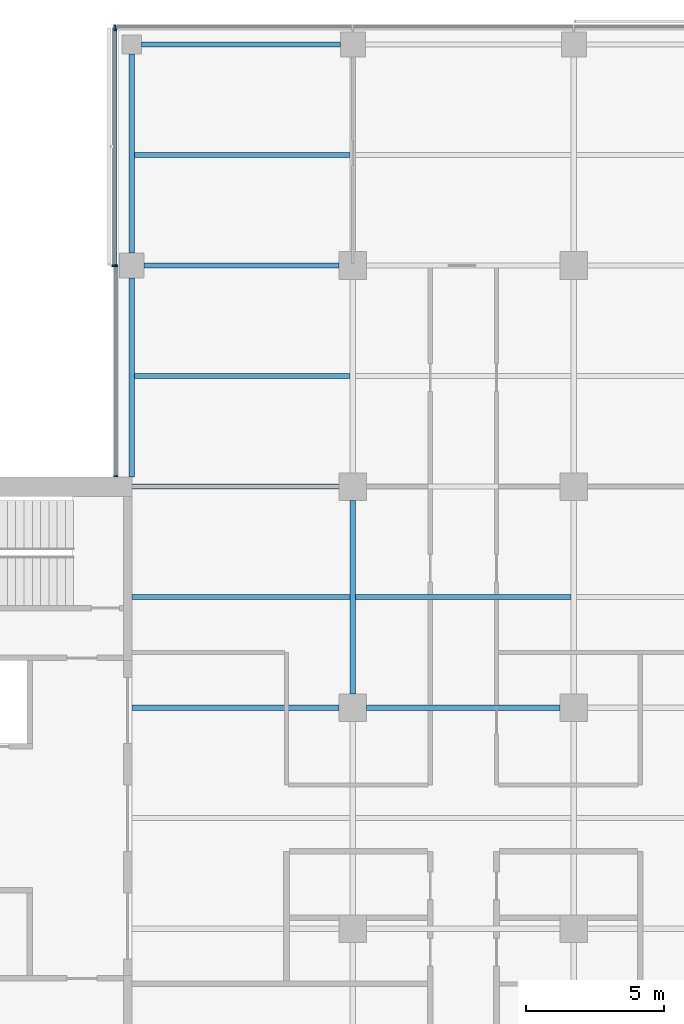
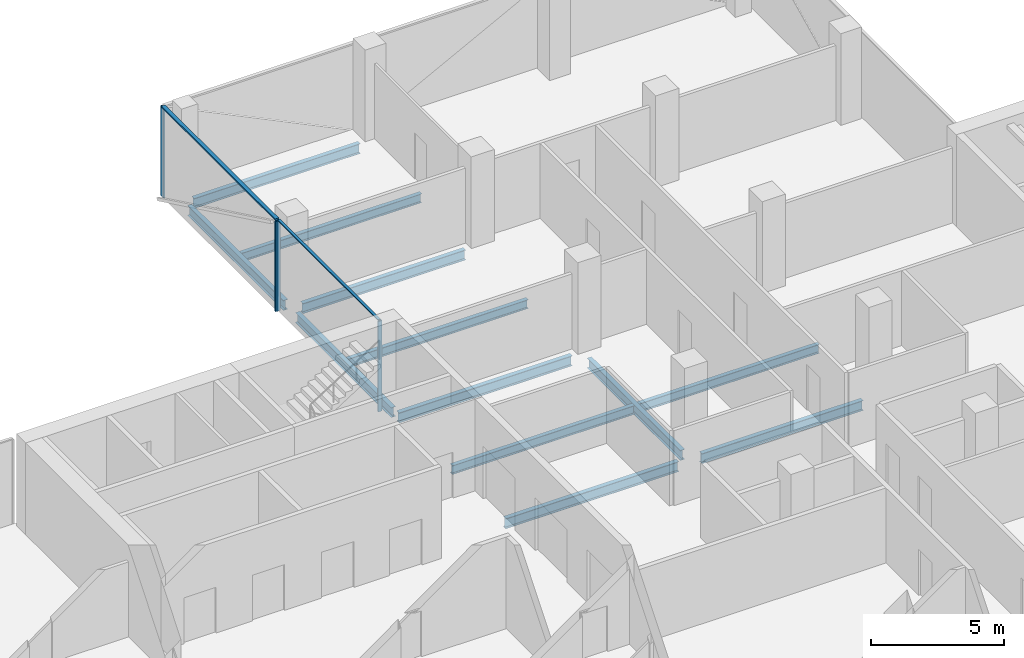
# One storey, part 8 of 22: 12 beams, 6 members, 3 elements without a shape of their own.
"""IFC4 building model written with IfcOpenShell, lengths in metres."""

from ifc_helpers import new_model, si_unit, direction, frame, origin, origin_2d, place, context, subcontext, project, spatial, rectangle, i_section, extrude, material, material_profile, profile_set, type_object, element, aggregate, save


model = new_model("IFC4")

# Units and contexts
model_context = context("Model", 3, precision=1e-05, world=origin(), true_north=direction((0.0, 1.0)))
body_context = subcontext(model_context, "Body", "Model", "MODEL_VIEW")
ifc_project = project(units=[si_unit("LENGTHUNIT", "METRE"), si_unit("AREAUNIT", "SQUARE_METRE"), si_unit("VOLUMEUNIT", "CUBIC_METRE"), si_unit("PLANEANGLEUNIT", "RADIAN"), si_unit("MASSUNIT", "GRAM", prefix="KILO")], contexts=[model_context])

# Site, building, storey
site_placement = place(None, origin())
site = spatial("IfcSite", under=ifc_project, at=site_placement, CompositionType="ELEMENT")
building_placement = place(site_placement, origin())
building = spatial("IfcBuilding", under=site, at=building_placement, Name="Crosswind Convention Tower", CompositionType="ELEMENT")
storey_placement = place(building_placement, frame((0.0, 0.0, 158.89990234375)))
storey = spatial("IfcBuildingStorey", under=building, at=storey_placement, Name="L33", CompositionType="ELEMENT", Elevation=158.89990234375)

# Beams
ifc_material_1 = material(Name="Steel S355", Category="steel")
ifc_material_profile_1 = material_profile(ifc_material_1, i_section(OverallWidth=0.18994140625, OverallDepth=0.45361328125, WebThickness=0.008544921875, FlangeThickness=0.0126953125, FilletRadius=0.01025390625, at=origin_2d()), Name="UB 457x191x67")
ifc_profile_set_1 = profile_set([ifc_material_profile_1], Name="Steel S355")
beam_type_1 = type_object("IfcBeamType", Name="Edge beam UB 457x191x67", PredefinedType="SPANDREL", material=ifc_profile_set_1)
for number, where, z_axis, x_axis, name in (
    (1, (113.0, 112.35009765625, -0.526611328125), (0.0, 1.0, 0.0), (-1.0, 0.0, 0.0), "B16 L33 edge beam 8"),
    (2, (113.0, 120.449951171875, -0.526611328125), (0.0, 1.0, 0.0), (-1.0, 0.0, 0.0), "B16 L33 edge beam 9"),
    (3, (113.35009765625, 128.0, -0.526611328125), (1.0, 0.0, 0.0), (0.0, 1.0, 0.0), "B16 L33 edge beam 11"),
):
    element("IfcBeam", number, at=place(storey_placement, frame(where, z_axis=z_axis, x_axis=x_axis)), inside=storey, type_object=beam_type_1, Name=name, PredefinedType="SPANDREL", context=body_context, shape_type="SweptSolid", body=[
        extrude(i_section(OverallWidth=0.18994140625, OverallDepth=0.45361328125, WebThickness=0.008544921875, FlangeThickness=0.0126953125, FilletRadius=0.01025390625, at=origin_2d()), origin(), (0.0, 0.0, 1.0), 7.199951171875),
    ])
ifc_material_profile_2 = material_profile(ifc_material_1, i_section(OverallWidth=0.19140625, OverallDepth=0.460205078125, WebThickness=0.010009765625, FlangeThickness=0.01611328125, FilletRadius=0.01025390625, at=origin_2d()), Name="UB 457x191x82")
ifc_profile_set_2 = profile_set([ifc_material_profile_2], Name="Steel S355")
beam_type_2 = type_object("IfcBeamType", Name="Girder UB 457x191x82", PredefinedType="BEAM", material=ifc_profile_set_2)
beam_1_placement = place(storey_placement, frame((113.449951171875, 120.0, -0.530029296875), z_axis=(1.0, 0.0, 0.0), x_axis=(0.0, 1.0, 0.0)))
element("IfcBeam", 4, at=beam_1_placement, inside=storey, type_object=beam_type_2, Name="B3 L33 girder 2", PredefinedType="BEAM", context=body_context, shape_type="SweptSolid", body=[
    extrude(i_section(OverallWidth=0.19140625, OverallDepth=0.460205078125, WebThickness=0.010009765625, FlangeThickness=0.01611328125, FilletRadius=0.01025390625, at=origin_2d()), origin(), (0.0, 0.0, 1.0), 7.050048828125),
])
for number, where, z_axis, x_axis, name in (
    (5, (121.0, 104.5, -0.530029296875), (0.0, 1.0, 0.0), (-1.0, 0.0, 0.0), "B3 L33 girder 7"),
    (6, (121.5, 104.0, -0.530029296875), (1.0, 0.0, 0.0), (0.0, 1.0, 0.0), "B3 L33 girder 13"),
):
    element("IfcBeam", number, at=place(storey_placement, frame(where, z_axis=z_axis, x_axis=x_axis)), inside=storey, type_object=beam_type_2, Name=name, PredefinedType="BEAM", context=body_context, shape_type="SweptSolid", body=[
        extrude(i_section(OverallWidth=0.19140625, OverallDepth=0.460205078125, WebThickness=0.010009765625, FlangeThickness=0.01611328125, FilletRadius=0.01025390625, at=origin_2d()), origin(), (0.0, 0.0, 1.0), 7.0),
    ])
ifc_material_profile_3 = material_profile(ifc_material_1, i_section(OverallWidth=0.19189453125, OverallDepth=0.463623046875, WebThickness=0.010498046875, FlangeThickness=0.017578125, FilletRadius=0.01025390625, at=origin_2d()), Name="UB 457x191x90")
ifc_profile_set_3 = profile_set([ifc_material_profile_3], Name="Steel S355")
beam_type_3 = type_object("IfcBeamType", Name="Girder at core wall UB 457x191x90", PredefinedType="BEAM", material=ifc_profile_set_3)
for number, where, z_axis, x_axis, name in (
    (7, (113.0, 104.0, -0.53173828125), (1.0, 0.0, 0.0), (0.0, 1.0, 0.0), "B24 L33 girder at core wall 5"),
    (8, (113.0, 112.0, -0.53173828125), (1.0, 0.0, 0.0), (0.0, 1.0, 0.0), "B24 L33 girder at core wall 6"),
):
    element("IfcBeam", number, at=place(storey_placement, frame(where, z_axis=z_axis, x_axis=x_axis)), inside=storey, type_object=beam_type_3, Name=name, PredefinedType="BEAM", context=body_context, shape_type="SweptSolid", body=[
        extrude(i_section(OverallWidth=0.19189453125, OverallDepth=0.463623046875, WebThickness=0.010498046875, FlangeThickness=0.017578125, FilletRadius=0.01025390625, at=origin_2d()), origin(), (0.0, 0.0, 1.0), 7.5),
    ])

# Curtain wall, members
ifc_material_2 = material(Name="Aluminium unitised curtain wall", Category="aluminium")
curtain_wall_type_1 = type_object("IfcCurtainWallType", Name="CORE END SLOT WALL 160", PredefinedType="USERDEFINED", material=ifc_material_2)
curtain_wall_1_placement = place(storey_placement, origin())
curtain_wall_1 = element("IfcCurtainWall", 9, at=curtain_wall_1_placement, inside=storey, type_object=curtain_wall_type_1, Name="CW6 L33 N-W.1-2 slot", ObjectType="UNITISED", PredefinedType="USERDEFINED")
ifc_material_3 = material(Name="Aluminium mullion", Category="aluminium")
ifc_material_profile_4 = material_profile(ifc_material_3, rectangle(XDim=0.159912109375, YDim=0.050048828125, at=origin_2d()), Name="AL 160X50")
ifc_profile_set_4 = profile_set([ifc_material_profile_4], Name="Aluminium mullion")
member_type_1 = type_object("IfcMemberType", Name="MULLION 50X160", PredefinedType="MULLION", material=ifc_profile_set_4)
member_1_placement = place(storey_placement, frame((112.419921875, 119.97509765625, -0.2998046875), z_axis=(0.0, 0.0, 1.0), x_axis=(-1.0, 0.0, 0.0)))
member_1 = element("IfcMember", 10, at=member_1_placement, type_object=member_type_1, Name="CW6 mullion 1", PredefinedType="MULLION", context=body_context, shape_type="SweptSolid", body=[
    extrude(rectangle(XDim=0.159912109375, YDim=0.050048828125, at=origin_2d()), origin(), (0.0, 0.0, 1.0), 4.14990234375),
])
member_2_placement = place(storey_placement, frame((112.419921875, 112.375, -0.2998046875), z_axis=(0.0, 0.0, 1.0), x_axis=(-1.0, 0.0, 0.0)))
member_2 = element("IfcMember", 11, at=member_2_placement, type_object=member_type_1, Name="CW6 mullion 2", PredefinedType="MULLION", context=body_context, shape_type="SweptSolid", body=[
    extrude(rectangle(XDim=0.159912109375, YDim=0.050048828125, at=origin_2d()), origin(), (0.0, 0.0, 1.0), 4.14990234375),
])

# Curtain wall, member
curtain_wall_type_2 = type_object("IfcCurtainWallType", Name="OFFICE UNITISED WALL 220", PredefinedType="USERDEFINED", material=ifc_material_2)
curtain_wall_2_placement = place(storey_placement, origin())
curtain_wall_2 = element("IfcCurtainWall", 12, at=curtain_wall_2_placement, inside=storey, type_object=curtain_wall_type_2, Name="CW3 L33 N-TIP 1", ObjectType="UNITISED", PredefinedType="USERDEFINED")
ifc_material_profile_5 = material_profile(ifc_material_3, rectangle(XDim=0.219970703125, YDim=0.070068359375, at=origin_2d()), Name="AL 220X70")
ifc_profile_set_5 = profile_set([ifc_material_profile_5], Name="Aluminium mullion")
member_type_2 = type_object("IfcMemberType", Name="MULLION 70X220", PredefinedType="MULLION", material=ifc_profile_set_5)
member_3_placement = place(storey_placement, frame((112.389892578125, 128.610107421875, -0.2998046875), z_axis=(0.0, 0.0, 1.0), x_axis=(0.0, 1.0, 0.0)))
member_3 = element("IfcMember", 13, at=member_3_placement, type_object=member_type_2, Name="CW3 mullion 4", PredefinedType="MULLION", context=body_context, shape_type="SweptSolid", body=[
    extrude(rectangle(XDim=0.219970703125, YDim=0.070068359375, at=origin_2d()), origin(), (0.0, 0.0, 1.0), 4.1298828125),
])
aggregate(curtain_wall_2, [member_3])

curtain_wall_3_placement = place(storey_placement, origin())
curtain_wall_3 = element("IfcCurtainWall", 14, at=curtain_wall_3_placement, inside=storey, type_object=curtain_wall_type_2, Name="CW3 L33 N-W 1", ObjectType="UNITISED", PredefinedType="USERDEFINED")
member_4_placement = place(storey_placement, frame((112.389892578125, 120.0, -0.2998046875), z_axis=(0.0, 0.0, 1.0), x_axis=(-1.0, 0.0, 0.0)))
member_4 = element("IfcMember", 15, at=member_4_placement, type_object=member_type_2, Name="CW3 mullion 2", PredefinedType="MULLION", context=body_context, shape_type="SweptSolid", body=[
    extrude(rectangle(XDim=0.219970703125, YDim=0.070068359375, at=origin_2d()), origin(), (0.0, 0.0, 1.0), 4.1298828125),
])

# Beams
ifc_material_profile_6 = material_profile(ifc_material_1, i_section(OverallWidth=0.177734375, OverallDepth=0.406494140625, WebThickness=0.0078125, FlangeThickness=0.0126953125, FilletRadius=0.01025390625, at=origin_2d()), Name="UB 406x178x60")
ifc_profile_set_6 = profile_set([ifc_material_profile_6], Name="Steel S355")
beam_type_4 = type_object("IfcBeamType", Name="Secondary beam UB 406x178x60", PredefinedType="JOIST", material=ifc_profile_set_6)
beam_2_placement = place(storey_placement, frame((113.0, 108.0, -0.503173828125), z_axis=(1.0, 0.0, 0.0), x_axis=(0.0, 1.0, 0.0)))
element("IfcBeam", 16, at=beam_2_placement, inside=storey, type_object=beam_type_4, Name="B10 L33 secondary beam 6", PredefinedType="JOIST", context=body_context, shape_type="SweptSolid", body=[
    extrude(i_section(OverallWidth=0.177734375, OverallDepth=0.406494140625, WebThickness=0.0078125, FlangeThickness=0.0126953125, FilletRadius=0.01025390625, at=origin_2d()), origin(), (0.0, 0.0, 1.0), 7.904296875),
])
for number, where, z_axis, x_axis, name in (
    (17, (113.094970703125, 116.0, -0.503173828125), (1.0, 0.0, 0.0), (0.0, 1.0, 0.0), "B10 L33 secondary beam 9"),
    (18, (113.094970703125, 124.0, -0.503173828125), (1.0, 0.0, 0.0), (0.0, 1.0, 0.0), "B10 L33 secondary beam 10"),
):
    element("IfcBeam", number, at=place(storey_placement, frame(where, z_axis=z_axis, x_axis=x_axis)), inside=storey, type_object=beam_type_4, Name=name, PredefinedType="JOIST", context=body_context, shape_type="SweptSolid", body=[
        extrude(i_section(OverallWidth=0.177734375, OverallDepth=0.406494140625, WebThickness=0.0078125, FlangeThickness=0.0126953125, FilletRadius=0.01025390625, at=origin_2d()), origin(), (0.0, 0.0, 1.0), 7.809326171875),
    ])
beam_3_placement = place(storey_placement, frame((121.095703125, 108.0, -0.503173828125), z_axis=(1.0, 0.0, 0.0), x_axis=(0.0, 1.0, 0.0)))
element("IfcBeam", 19, at=beam_3_placement, inside=storey, type_object=beam_type_4, Name="B10 L33 secondary beam 15", PredefinedType="JOIST", context=body_context, shape_type="SweptSolid", body=[
    extrude(i_section(OverallWidth=0.177734375, OverallDepth=0.406494140625, WebThickness=0.0078125, FlangeThickness=0.0126953125, FilletRadius=0.01025390625, at=origin_2d()), origin(), (0.0, 0.0, 1.0), 7.80859375),
])

# Member
ifc_material_4 = material(Name="Aluminium transom", Category="aluminium")
ifc_material_profile_7 = material_profile(ifc_material_4, rectangle(XDim=0.1201171875, YDim=0.050048828125, at=origin_2d()), Name="AL 120X50")
ifc_profile_set_7 = profile_set([ifc_material_profile_7], Name="Aluminium transom")
member_type_3 = type_object("IfcMemberType", Name="TRANSOM 50X120", PredefinedType="USERDEFINED", material=ifc_profile_set_7)
member_5_placement = place(storey_placement, frame((112.419921875, 119.949951171875, 3.875), z_axis=(0.0, -1.0, 0.0), x_axis=(1.0, 0.0, 0.0)))
member_5 = element("IfcMember", 20, at=member_5_placement, type_object=member_type_3, Name="CW6 transom", ObjectType="TRANSOM", PredefinedType="USERDEFINED", context=body_context, shape_type="SweptSolid", body=[
    extrude(rectangle(XDim=0.1201171875, YDim=0.050048828125, at=origin_2d()), origin(), (0.0, 0.0, 1.0), 7.550048828125),
])

aggregate(curtain_wall_1, [member_1, member_2, member_5])

ifc_material_profile_8 = material_profile(ifc_material_4, rectangle(XDim=0.159912109375, YDim=0.070068359375, at=origin_2d()), Name="AL 160X70")
ifc_profile_set_8 = profile_set([ifc_material_profile_8], Name="Aluminium transom")
member_type_4 = type_object("IfcMemberType", Name="TRANSOM 70X160", PredefinedType="USERDEFINED", material=ifc_profile_set_8)
member_6_placement = place(storey_placement, frame((112.389892578125, 128.574951171875, 3.864990234375), z_axis=(0.0, -1.0, 0.0), x_axis=(1.0, 0.0, 0.0)))
member_6 = element("IfcMember", 21, at=member_6_placement, type_object=member_type_4, Name="CW3 transom", ObjectType="TRANSOM", PredefinedType="USERDEFINED", context=body_context, shape_type="SweptSolid", body=[
    extrude(rectangle(XDim=0.159912109375, YDim=0.070068359375, at=origin_2d()), origin(), (0.0, 0.0, 1.0), 8.5400390625),
])

aggregate(curtain_wall_3, [member_4, member_6])

save(model, "model.ifc")
